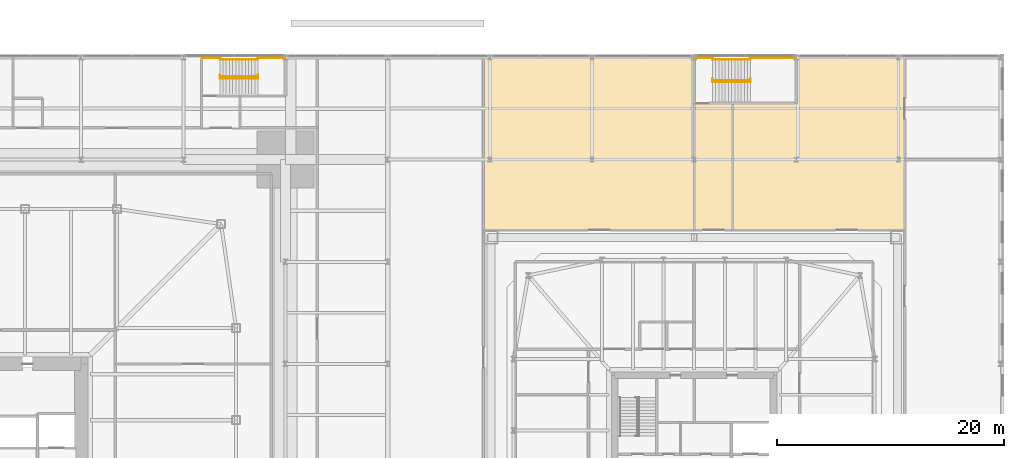
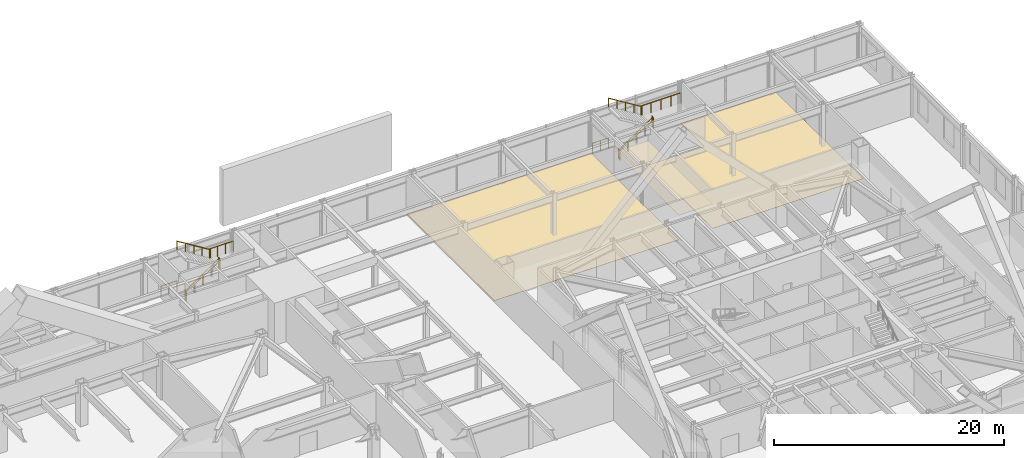
# One storey, part 32 of 32: 10 railings, 3 coverings.
"""IFC4 building model written with IfcOpenShell, lengths in metres."""

from ifc_helpers import new_model, si_unit, direction, frame, origin, origin_2d, place, context, subcontext, project, spatial, polyline, circle, outline, extrude, material, layer, layer_set, constituent, constituent_set, type_object, element, save


model = new_model("IFC4")

# Units and contexts
model_context = context("Model", 3, precision=1e-05, world=origin(), true_north=direction((0.0, 1.0)))
body_context = subcontext(model_context, "Body", "Model", "MODEL_VIEW")
ifc_project = project(units=[si_unit("LENGTHUNIT", "METRE"), si_unit("AREAUNIT", "SQUARE_METRE"), si_unit("VOLUMEUNIT", "CUBIC_METRE"), si_unit("PLANEANGLEUNIT", "RADIAN"), si_unit("MASSUNIT", "GRAM", prefix="KILO")], contexts=[model_context])

# Site, building, storey
site_placement = place(None, origin())
site = spatial("IfcSite", under=ifc_project, at=site_placement, CompositionType="ELEMENT")
building_placement = place(site_placement, origin())
building = spatial("IfcBuilding", under=site, at=building_placement, Name="Iwan Alto Co-Living Towers", CompositionType="ELEMENT")
storey_placement = place(building_placement, frame((0.0, 0.0, 6.0)))
storey = spatial("IfcBuildingStorey", under=building, at=storey_placement, Name="L01", CompositionType="ELEMENT", Elevation=6.0)

# Railings
ifc_material_1 = material(Name="Steel ASTM A500 Gr C", Category="steel")
ifc_constituent_1 = constituent(ifc_material_1, Name="Rails and posts", Category="Framing")
ifc_material_2 = material(Name="Steel ASTM A36", Category="steel")
ifc_constituent_2 = constituent(ifc_material_2, Name="Bar infill", Category="Infill")
ifc_constituent_set = constituent_set(constituents=[ifc_constituent_1, ifc_constituent_2], Name="STAIR GUARD 1100")
railing_type_1 = type_object("IfcRailingType", Name="STAIR GUARD 1100", PredefinedType="GUARDRAIL", material=ifc_constituent_set)
railing_1_placement = place(storey_placement, frame((21.219970703125, 34.300048828125, 0.0)))
element("IfcRailing", 1, at=railing_1_placement, inside=storey, type_object=railing_type_1, Name="Stair PS3 well guard L01", PredefinedType="GUARDRAIL", context=body_context, shape_type="SweptSolid", body=[
    extrude(circle(Radius=0.02392578125, at=origin_2d()), frame((0.0, 0.0, 1.076171875), z_axis=(0.830915400975, 0.0, 0.556398774641), x_axis=(0.0, 1.0, 0.0)), (0.0, 0.0, 1.0), 4.0439453125),
    extrude(circle(Radius=0.02392578125, at=origin_2d()), frame((0.0, -0.150146484375, 1.076171875), z_axis=(0.0, 1.0, 0.0), x_axis=(-1.0, 0.0, 0.0)), (0.0, 0.0, 1.0), 0.300048828125),
    extrude(circle(Radius=0.02392578125, at=origin_2d()), frame((3.360107421875, -0.150146484375, 3.326171875), z_axis=(0.0, 1.0, 0.0), x_axis=(-1.0, 0.0, 0.0)), (0.0, 0.0, 1.0), 0.300048828125),
    extrude(circle(Radius=0.02099609375, at=origin_2d()), origin(), (0.0, 0.0, 1.0), 1.052001953125),
    extrude(circle(Radius=0.02099609375, at=origin_2d()), frame((0.840087890625, 0.0, 0.5625)), (0.0, 0.0, 1.0), 1.052001953125),
    extrude(circle(Radius=0.02099609375, at=origin_2d()), frame((1.68017578125, 0.0, 1.125)), (0.0, 0.0, 1.0), 1.052001953125),
    extrude(circle(Radius=0.02099609375, at=origin_2d()), frame((2.52001953125, 0.0, 1.6875)), (0.0, 0.0, 1.0), 1.052001953125),
    extrude(circle(Radius=0.02099609375, at=origin_2d()), frame((3.360107421875, 0.0, 2.25)), (0.0, 0.0, 1.0), 1.052001953125),
    extrude(circle(Radius=0.02099609375, at=origin_2d()), frame((0.0, -0.150146484375, 0.0)), (0.0, 0.0, 1.0), 1.052001953125),
    extrude(circle(Radius=0.02099609375, at=origin_2d()), frame((0.0, 0.14990234375, 0.0)), (0.0, 0.0, 1.0), 1.052001953125),
    extrude(circle(Radius=0.02099609375, at=origin_2d()), frame((3.360107421875, -0.150146484375, 2.25)), (0.0, 0.0, 1.0), 1.052001953125),
    extrude(circle(Radius=0.02099609375, at=origin_2d()), frame((3.360107421875, 0.14990234375, 2.25)), (0.0, 0.0, 1.0), 1.052001953125),
])
railing_2_placement = place(storey_placement, frame((19.64990234375, 35.93994140625, 0.0)))
element("IfcRailing", 2, at=railing_2_placement, inside=storey, type_object=railing_type_1, Name="Stair PS3 edge guard L01 1", PredefinedType="GUARDRAIL", context=body_context, shape_type="SweptSolid", body=[
    extrude(circle(Radius=0.02392578125, at=origin_2d()), frame((0.0, 0.0, 1.076171875), z_axis=(1.0, 0.0, 0.0), x_axis=(0.0, 1.0, 0.0)), (0.0, 0.0, 1.0), 1.6201171875),
    extrude(circle(Radius=0.02099609375, at=origin_2d()), origin(), (0.0, 0.0, 1.0), 1.052001953125),
    extrude(circle(Radius=0.02099609375, at=origin_2d()), frame((0.81005859375, 0.0, 0.0)), (0.0, 0.0, 1.0), 1.052001953125),
    extrude(circle(Radius=0.02099609375, at=origin_2d()), frame((1.6201171875, 0.0, 0.0)), (0.0, 0.0, 1.0), 1.052001953125),
])
railing_3_placement = place(storey_placement, frame((24.530029296875, 35.93994140625, 2.25)))
element("IfcRailing", 3, at=railing_3_placement, inside=storey, type_object=railing_type_1, Name="Stair PS3 edge guard L01 2", PredefinedType="GUARDRAIL", context=body_context, shape_type="SweptSolid", body=[
    extrude(circle(Radius=0.02392578125, at=origin_2d()), frame((0.0, 0.0, 1.076171875), z_axis=(1.0, 0.0, 0.0), x_axis=(0.0, 1.0, 0.0)), (0.0, 0.0, 1.0), 2.419921875),
    extrude(circle(Radius=0.02099609375, at=origin_2d()), origin(), (0.0, 0.0, 1.0), 1.052001953125),
    extrude(circle(Radius=0.02099609375, at=origin_2d()), frame((0.806640625, 0.0, 0.0)), (0.0, 0.0, 1.0), 1.052001953125),
    extrude(circle(Radius=0.02099609375, at=origin_2d()), frame((1.61328125, 0.0, 0.0)), (0.0, 0.0, 1.0), 1.052001953125),
    extrude(circle(Radius=0.02099609375, at=origin_2d()), frame((2.419921875, 0.0, 0.0)), (0.0, 0.0, 1.0), 1.052001953125),
])
railing_4_placement = place(storey_placement, frame((64.6201171875, 33.97998046875, 0.0)))
element("IfcRailing", 4, at=railing_4_placement, inside=storey, type_object=railing_type_1, Name="Stair PS5 well guard L01", PredefinedType="GUARDRAIL", context=body_context, shape_type="SweptSolid", body=[
    extrude(circle(Radius=0.02392578125, at=origin_2d()), frame((0.0, 0.0, 1.076171875), z_axis=(0.830896709279, 0.0, 0.556426687452), x_axis=(0.0, 1.0, 0.0)), (0.0, 0.0, 1.0), 4.043701171875),
    extrude(circle(Radius=0.02392578125, at=origin_2d()), frame((0.0, -0.14990234375, 1.076171875), z_axis=(0.0, 1.0, 0.0), x_axis=(-1.0, 0.0, 0.0)), (0.0, 0.0, 1.0), 0.2998046875),
    extrude(circle(Radius=0.02392578125, at=origin_2d()), frame((3.35986328125, -0.14990234375, 3.326171875), z_axis=(0.0, 1.0, 0.0), x_axis=(-1.0, 0.0, 0.0)), (0.0, 0.0, 1.0), 0.2998046875),
    extrude(circle(Radius=0.02099609375, at=origin_2d()), origin(), (0.0, 0.0, 1.0), 1.052001953125),
    extrude(circle(Radius=0.02099609375, at=origin_2d()), frame((0.83984375, 0.0, 0.5625)), (0.0, 0.0, 1.0), 1.052001953125),
    extrude(circle(Radius=0.02099609375, at=origin_2d()), frame((1.679931640625, 0.0, 1.125)), (0.0, 0.0, 1.0), 1.052001953125),
    extrude(circle(Radius=0.02099609375, at=origin_2d()), frame((2.52001953125, 0.0, 1.6875)), (0.0, 0.0, 1.0), 1.052001953125),
    extrude(circle(Radius=0.02099609375, at=origin_2d()), frame((3.35986328125, 0.0, 2.25)), (0.0, 0.0, 1.0), 1.052001953125),
    extrude(circle(Radius=0.02099609375, at=origin_2d()), frame((0.0, -0.14990234375, 0.0)), (0.0, 0.0, 1.0), 1.052001953125),
    extrude(circle(Radius=0.02099609375, at=origin_2d()), frame((0.0, 0.14990234375, 0.0)), (0.0, 0.0, 1.0), 1.052001953125),
    extrude(circle(Radius=0.02099609375, at=origin_2d()), frame((3.35986328125, -0.14990234375, 2.25)), (0.0, 0.0, 1.0), 1.052001953125),
    extrude(circle(Radius=0.02099609375, at=origin_2d()), frame((3.35986328125, 0.14990234375, 2.25)), (0.0, 0.0, 1.0), 1.052001953125),
])
railing_5_placement = place(storey_placement, frame((63.050048828125, 35.93994140625, 0.0)))
element("IfcRailing", 5, at=railing_5_placement, inside=storey, type_object=railing_type_1, Name="Stair PS5 edge guard L01 1", PredefinedType="GUARDRAIL", context=body_context, shape_type="SweptSolid", body=[
    extrude(circle(Radius=0.02392578125, at=origin_2d()), frame((0.0, 0.0, 1.076171875), z_axis=(1.0, 0.0, 0.0), x_axis=(0.0, 1.0, 0.0)), (0.0, 0.0, 1.0), 1.619873046875),
    extrude(circle(Radius=0.02099609375, at=origin_2d()), origin(), (0.0, 0.0, 1.0), 1.052001953125),
    extrude(circle(Radius=0.02099609375, at=origin_2d()), frame((0.81005859375, 0.0, 0.0)), (0.0, 0.0, 1.0), 1.052001953125),
    extrude(circle(Radius=0.02099609375, at=origin_2d()), frame((1.619873046875, 0.0, 0.0)), (0.0, 0.0, 1.0), 1.052001953125),
])
railing_6_placement = place(storey_placement, frame((67.929931640625, 35.93994140625, 2.25)))
element("IfcRailing", 6, at=railing_6_placement, inside=storey, type_object=railing_type_1, Name="Stair PS5 edge guard L01 2", PredefinedType="GUARDRAIL", context=body_context, shape_type="SweptSolid", body=[
    extrude(circle(Radius=0.02392578125, at=origin_2d()), frame((0.0, 0.0, 1.076171875), z_axis=(1.0, 0.0, 0.0), x_axis=(0.0, 1.0, 0.0)), (0.0, 0.0, 1.0), 4.02001953125),
    extrude(circle(Radius=0.02099609375, at=origin_2d()), origin(), (0.0, 0.0, 1.0), 1.052001953125),
    extrude(circle(Radius=0.02099609375, at=origin_2d()), frame((1.0048828125, 0.0, 0.0)), (0.0, 0.0, 1.0), 1.052001953125),
    extrude(circle(Radius=0.02099609375, at=origin_2d()), frame((2.010009765625, 0.0, 0.0)), (0.0, 0.0, 1.0), 1.052001953125),
    extrude(circle(Radius=0.02099609375, at=origin_2d()), frame((3.01513671875, 0.0, 0.0)), (0.0, 0.0, 1.0), 1.052001953125),
    extrude(circle(Radius=0.02099609375, at=origin_2d()), frame((4.02001953125, 0.0, 0.0)), (0.0, 0.0, 1.0), 1.052001953125),
])
ifc_material_3 = material(Name="Steel ASTM A500 Gr C", Category="steel")
railing_type_2 = type_object("IfcRailingType", Name="STAIR HANDRAIL 900", PredefinedType="HANDRAIL", material=ifc_material_3)
railing_7_placement = place(storey_placement, frame((21.219970703125, 34.14990234375, 0.173095703125)))
element("IfcRailing", 7, at=railing_7_placement, inside=storey, type_object=railing_type_2, Name="Stair PS3 handrail 1 L01", PredefinedType="HANDRAIL", context=body_context, shape_type="SweptSolid", body=[
    extrude(circle(Radius=0.02392578125, at=origin_2d()), frame((0.0, 0.0, 0.8759765625), z_axis=(0.850623216509, 0.0, 0.525775754039), x_axis=(0.0, 1.0, 0.0)), (0.0, 0.0, 1.0), 3.9501953125),
    extrude(circle(Radius=0.02099609375, at=origin_2d()), origin(), (0.0, 0.0, 1.0), 0.851806640625),
    extrude(circle(Radius=0.02099609375, at=origin_2d()), frame((0.840087890625, 0.0, 0.519287109375)), (0.0, 0.0, 1.0), 0.851806640625),
    extrude(circle(Radius=0.02099609375, at=origin_2d()), frame((1.68017578125, 0.0, 1.03857421875)), (0.0, 0.0, 1.0), 0.851806640625),
    extrude(circle(Radius=0.02099609375, at=origin_2d()), frame((2.52001953125, 0.0, 1.5576171875)), (0.0, 0.0, 1.0), 0.851806640625),
    extrude(circle(Radius=0.02099609375, at=origin_2d()), frame((3.360107421875, 0.0, 2.076904296875)), (0.0, 0.0, 1.0), 0.851806640625),
])
railing_8_placement = place(storey_placement, frame((24.580078125, 35.830078125, 2.423095703125)))
element("IfcRailing", 8, at=railing_8_placement, inside=storey, type_object=railing_type_2, Name="Stair PS3 handrail 2 L01", PredefinedType="HANDRAIL", context=body_context, shape_type="SweptSolid", body=[
    extrude(circle(Radius=0.02392578125, at=origin_2d()), frame((0.0, 0.0, 0.8759765625), z_axis=(-0.850623216509, 0.0, 0.525775754039), x_axis=(0.0, -1.0, 0.0)), (0.0, 0.0, 1.0), 3.9501953125),
    extrude(circle(Radius=0.02099609375, at=origin_2d()), origin(), (0.0, 0.0, 1.0), 0.851806640625),
    extrude(circle(Radius=0.02099609375, at=origin_2d()), frame((-0.840087890625, 0.0, 0.519287109375)), (0.0, 0.0, 1.0), 0.851806640625),
    extrude(circle(Radius=0.02099609375, at=origin_2d()), frame((-1.68017578125, 0.0, 1.03857421875)), (0.0, 0.0, 1.0), 0.851806640625),
    extrude(circle(Radius=0.02099609375, at=origin_2d()), frame((-2.52001953125, 0.0, 1.5576171875)), (0.0, 0.0, 1.0), 0.851806640625),
    extrude(circle(Radius=0.02099609375, at=origin_2d()), frame((-3.360107421875, 0.0, 2.076904296875)), (0.0, 0.0, 1.0), 0.851806640625),
])
railing_9_placement = place(storey_placement, frame((64.6201171875, 33.830078125, 0.173095703125)))
element("IfcRailing", 9, at=railing_9_placement, inside=storey, type_object=railing_type_2, Name="Stair PS5 handrail 1 L01", PredefinedType="HANDRAIL", context=body_context, shape_type="SweptSolid", body=[
    extrude(circle(Radius=0.02392578125, at=origin_2d()), frame((0.0, 0.0, 0.8759765625), z_axis=(0.850606129759, 0.0, 0.525803396734), x_axis=(0.0, 1.0, 0.0)), (0.0, 0.0, 1.0), 3.949951171875),
    extrude(circle(Radius=0.02099609375, at=origin_2d()), origin(), (0.0, 0.0, 1.0), 0.851806640625),
    extrude(circle(Radius=0.02099609375, at=origin_2d()), frame((0.83984375, 0.0, 0.519287109375)), (0.0, 0.0, 1.0), 0.851806640625),
    extrude(circle(Radius=0.02099609375, at=origin_2d()), frame((1.679931640625, 0.0, 1.03857421875)), (0.0, 0.0, 1.0), 0.851806640625),
    extrude(circle(Radius=0.02099609375, at=origin_2d()), frame((2.52001953125, 0.0, 1.5576171875)), (0.0, 0.0, 1.0), 0.851806640625),
    extrude(circle(Radius=0.02099609375, at=origin_2d()), frame((3.35986328125, 0.0, 2.076904296875)), (0.0, 0.0, 1.0), 0.851806640625),
])
railing_10_placement = place(storey_placement, frame((67.97998046875, 35.830078125, 2.423095703125)))
element("IfcRailing", 10, at=railing_10_placement, inside=storey, type_object=railing_type_2, Name="Stair PS5 handrail 2 L01", PredefinedType="HANDRAIL", context=body_context, shape_type="SweptSolid", body=[
    extrude(circle(Radius=0.02392578125, at=origin_2d()), frame((0.0, 0.0, 0.8759765625), z_axis=(-0.850606129759, 0.0, 0.525803396734), x_axis=(0.0, -1.0, 0.0)), (0.0, 0.0, 1.0), 3.949951171875),
    extrude(circle(Radius=0.02099609375, at=origin_2d()), origin(), (0.0, 0.0, 1.0), 0.851806640625),
    extrude(circle(Radius=0.02099609375, at=origin_2d()), frame((-0.83984375, 0.0, 0.519287109375)), (0.0, 0.0, 1.0), 0.851806640625),
    extrude(circle(Radius=0.02099609375, at=origin_2d()), frame((-1.679931640625, 0.0, 1.03857421875)), (0.0, 0.0, 1.0), 0.851806640625),
    extrude(circle(Radius=0.02099609375, at=origin_2d()), frame((-2.52001953125, 0.0, 1.5576171875)), (0.0, 0.0, 1.0), 0.851806640625),
    extrude(circle(Radius=0.02099609375, at=origin_2d()), frame((-3.35986328125, 0.0, 2.076904296875)), (0.0, 0.0, 1.0), 0.851806640625),
])

# Coverings
ifc_material_4 = material(Name="Gypsum plasterboard on steel grid", Category="steel")
ifc_layer_1 = layer(ifc_material_4, 0.014892578125)
ifc_layer_set_1 = layer_set([ifc_layer_1], Name="SUSPENDED PLASTERBOARD CEILING 15")
covering_type_1 = type_object("IfcCoveringType", Name="SUSPENDED PLASTERBOARD CEILING 15", PredefinedType="CEILING", material=ifc_layer_set_1)
covering_1_placement = place(storey_placement, frame((0.0, 0.0, 2.60009765625)))
element("IfcCovering", 11, at=covering_1_placement, inside=storey, type_object=covering_type_1, Name="Ceiling Stair lobby L01", PredefinedType="CEILING", context=body_context, shape_type="SweptSolid", body=[
    extrude(outline(polyline([(63.0, 20.800048828125), (63.0, 31.9599609375), (66.39990234375, 31.9599609375), (66.39990234375, 20.800048828125), (63.0, 20.800048828125)])), origin(), (0.0, 0.0, 1.0), 0.014892578125),
])
ifc_material_5 = material(Name="Engineered oak boards")
ifc_layer_2 = layer(ifc_material_5, 0.02001953125)
ifc_layer_set_2 = layer_set([ifc_layer_2], Name="TIMBER FLOOR FINISH 20")
covering_type_2 = type_object("IfcCoveringType", Name="TIMBER FLOOR FINISH 20", PredefinedType="FLOORING", material=ifc_layer_set_2)
covering_2_placement = place(storey_placement, origin())
element("IfcCovering", 12, at=covering_2_placement, inside=storey, type_object=covering_type_2, Name="Floor finish Children's play room L01", PredefinedType="FLOORING", context=body_context, shape_type="SweptSolid", body=[
    extrude(outline(polyline([(63.0, 36.0), (63.0, 20.800048828125), (44.449951171875, 20.800048828125), (44.449951171875, 36.0), (63.0, 36.0)])), origin(), (0.0, 0.0, 1.0), 0.02001953125),
])
covering_3_placement = place(storey_placement, origin())
element("IfcCovering", 13, at=covering_3_placement, inside=storey, type_object=covering_type_2, Name="Floor finish Fitness studio L01", PredefinedType="FLOORING", context=body_context, shape_type="SweptSolid", body=[
    extrude(outline(polyline([(81.550048828125, 20.800048828125), (66.39990234375, 20.800048828125), (66.39990234375, 31.9599609375), (72.0, 31.9599609375), (72.0, 36.0), (81.550048828125, 36.0), (81.550048828125, 20.800048828125)])), origin(), (0.0, 0.0, 1.0), 0.02001953125),
])

save(model, "model.ifc")
